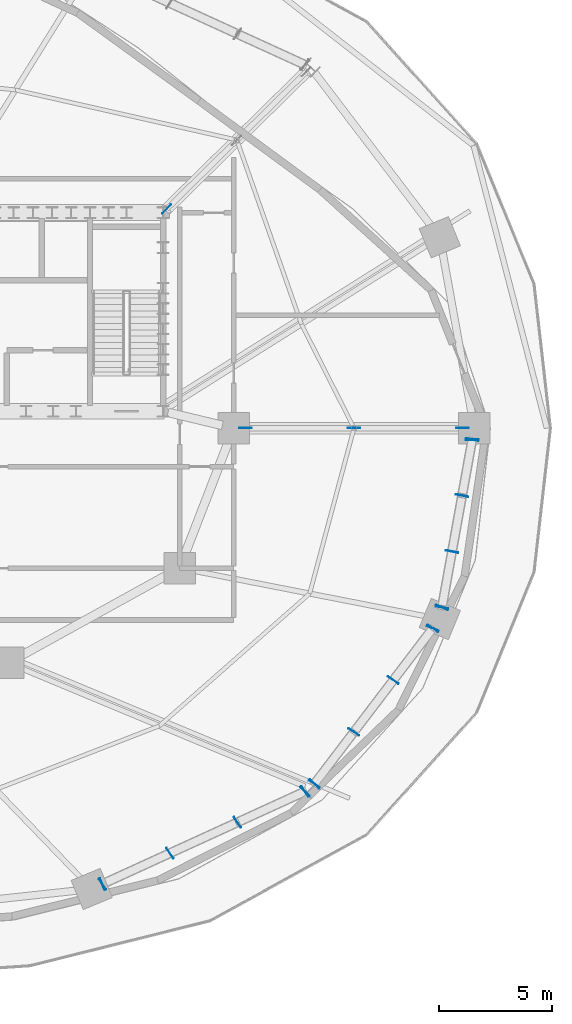
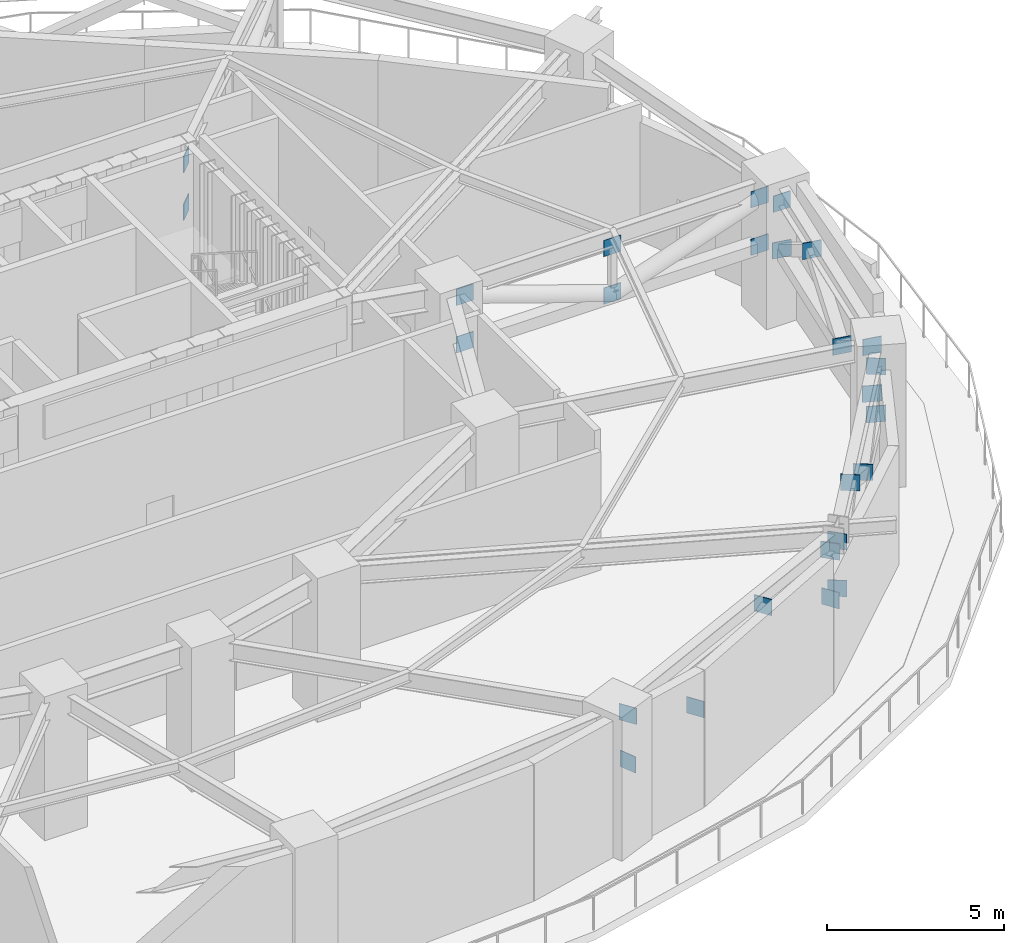
# One storey, part 11 of 18: 26 plates.
"""IFC4 building model written with IfcOpenShell, lengths in metres."""

from ifc_helpers import new_model, si_unit, direction, frame, origin, origin_2d, place, context, subcontext, project, spatial, rectangle, extrude, material, layer, layer_set, type_object, element, save


model = new_model("IFC4")

# Units and contexts
model_context = context("Model", 3, precision=1e-05, world=origin(), true_north=direction((0.0, 1.0)))
body_context = subcontext(model_context, "Body", "Model", "MODEL_VIEW")
ifc_project = project(units=[si_unit("LENGTHUNIT", "METRE"), si_unit("AREAUNIT", "SQUARE_METRE"), si_unit("VOLUMEUNIT", "CUBIC_METRE"), si_unit("PLANEANGLEUNIT", "RADIAN"), si_unit("MASSUNIT", "GRAM", prefix="KILO")], contexts=[model_context])

# Site, building, storey
site_placement = place(None, origin())
site = spatial("IfcSite", under=ifc_project, at=site_placement, CompositionType="ELEMENT")
building_placement = place(site_placement, origin())
building = spatial("IfcBuilding", under=site, at=building_placement, Name="Haldorwick Loom Tower", CompositionType="ELEMENT")
storey_placement = place(building_placement, frame((0.0, 0.0, 76.800048828125)))
storey = spatial("IfcBuildingStorey", under=building, at=storey_placement, Name="L20", CompositionType="ELEMENT", Elevation=76.800048828125)

# Plates
ifc_material = material(Name="Steel CSA G40.21 350W", Category="steel")
ifc_layer = layer(ifc_material, 0.028076171875, Name="Steel CSA G40.21 350W", Category="steel")
ifc_layer_set = layer_set([ifc_layer], Name="Steel CSA G40.21 350W")
plate_type = type_object("IfcPlateType", Name="STR-PLT-GUS28", PredefinedType="SHEET", material=ifc_layer_set)
for number, where, z_axis, x_axis, name in (
    (1, (47.37939453125, 5.798583984375, 3.864013671875), (0.0, 0.0, 1.0), (0.55557023302, -0.831469612303, 0.0), "L20 Truss Node Gusset Plate PLT-L20-BGUS-13-0A"),
    (2, (50.371826171875, 7.1669921875, 2.219970703125), (0.0, 0.0, 1.0), (0.55557023302, -0.831469612303, 0.0), "L20 Truss Node Gusset Plate PLT-L20-BGUS-13-0B"),
    (3, (53.3642578125, 8.535400390625, 3.864013671875), (0.0, 0.0, 1.0), (0.55557023302, -0.831469612303, 0.0), "L20 Truss Node Gusset Plate PLT-L20-BGUS-13-1B"),
    (4, (56.356689453125, 9.90380859375, 2.219970703125), (0.0, 0.0, 1.0), (0.55557023302, -0.831469612303, 0.0), "L20 Truss Node Gusset Plate PLT-L20-BGUS-13-2B"),
    (5, (47.37939453125, 5.798583984375, 2.219970703125), (0.0, 0.0, 1.0), (0.382683432365, -0.923879532511, 0.0), "L20 Truss Node Gusset Plate PLT-L20-BGUS-13A"),
    (6, (56.356689453125, 9.90380859375, 3.864013671875), (0.0, 0.0, 1.0), (0.707106781187, -0.707106781187, 0.0), "L20 Truss Node Gusset Plate PLT-L20-BGUS-13D"),
    (7, (56.773193359375, 10.2373046875, 2.219970703125), (0.0, 0.0, 1.0), (0.831469612303, -0.55557023302, 0.0), "L20 Truss Node Gusset Plate PLT-L20-BGUS-14-0A"),
    (8, (58.520751953125, 12.534423828125, 3.864013671875), (0.0, 0.0, 1.0), (0.831469612303, -0.55557023302, 0.0), "L20 Truss Node Gusset Plate PLT-L20-BGUS-14-0B"),
    (9, (60.268310546875, 14.83154296875, 2.219970703125), (0.0, 0.0, 1.0), (0.831469612303, -0.55557023302, 0.0), "L20 Truss Node Gusset Plate PLT-L20-BGUS-14-1B"),
    (10, (62.015869140625, 17.12890625, 3.864013671875), (0.0, 0.0, 1.0), (0.831469612303, -0.55557023302, 0.0), "L20 Truss Node Gusset Plate PLT-L20-BGUS-14-2B"),
    (11, (56.773193359375, 10.2373046875, 3.864013671875), (0.0, 0.0, 1.0), (0.707106781187, -0.707106781187, 0.0), "L20 Truss Node Gusset Plate PLT-L20-BGUS-14B"),
    (12, (62.015869140625, 17.12890625, 2.219970703125), (0.0, 0.0, 1.0), (0.923879532511, -0.382683432365, 0.0), "L20 Truss Node Gusset Plate PLT-L20-BGUS-14C"),
    (13, (62.423095703125, 18.054443359375, 3.864013671875), (0.0, 0.0, 1.0), (-0.980785280403, 0.195090322016, 0.0), "L20 Truss Node Gusset Plate PLT-L20-BGUS-15-0A"),
    (14, (62.870361328125, 20.532470703125, 2.219970703125), (0.0, 0.0, 1.0), (-0.980785280403, 0.195090322016, 0.0), "L20 Truss Node Gusset Plate PLT-L20-BGUS-15-0B"),
    (15, (63.31787109375, 23.01025390625, 3.864013671875), (0.0, 0.0, 1.0), (-0.980785280403, 0.195090322016, 0.0), "L20 Truss Node Gusset Plate PLT-L20-BGUS-15-1B"),
    (16, (63.76513671875, 25.48828125, 2.219970703125), (0.0, 0.0, 1.0), (-0.980785280403, 0.195090322016, 0.0), "L20 Truss Node Gusset Plate PLT-L20-BGUS-15-2B"),
    (17, (62.423095703125, 18.054443359375, 2.219970703125), (0.0, 0.0, 1.0), (0.923879532511, -0.382683432365, 0.0), "L20 Truss Node Gusset Plate PLT-L20-BGUS-15A"),
    (18, (63.76513671875, 25.48828125, 3.864013671875), (0.0, 0.0, 1.0), (1.0, 0.0, 0.0), "L20 Truss Node Gusset Plate PLT-L20-BGUS-15D"),
    (19, (53.719970703125, 26.0, 2.219970703125), (0.0, 0.0, 1.0), (1.0, 0.0, 0.0), "L20 Truss Node Gusset Plate PLT-L20-OT-E-CB0"),
    (20, (53.719970703125, 26.0, 3.863037109375), (0.0, 0.0, 1.0), (1.0, 0.0, 0.0), "L20 Truss Node Gusset Plate PLT-L20-OT-E-CT0"),
    (21, (58.52880859375, 26.0, 2.219970703125), (0.0, 0.0, 1.0), (1.0, 0.0, 0.0), "L20 Truss Node Gusset Plate PLT-L20-OT-E-MB0"),
    (22, (58.52880859375, 26.0, 3.863037109375), (0.0, 0.0, 1.0), (1.0, 0.0, 0.0), "L20 Truss Node Gusset Plate PLT-L20-OT-E-MT0"),
    (23, (63.337646484375, 26.0, 2.219970703125), (0.0, 0.0, 1.0), (1.0, 0.0, 0.0), "L20 Truss Node Gusset Plate PLT-L20-OT-E-PB0"),
    (24, (63.337646484375, 26.0, 3.863037109375), (0.0, 0.0, 1.0), (1.0, 0.0, 0.0), "L20 Truss Node Gusset Plate PLT-L20-OT-E-PT0"),
    (25, (50.23046875, 35.707763671875, 2.219970703125), (0.0, 0.0, 1.0), (0.707106781187, 0.707106781187, 0.0), "L20 Truss Node Gusset Plate PLT-L20-OT-NE-CB0"),
    (26, (50.23046875, 35.707763671875, 3.863037109375), (0.0, 0.0, 1.0), (0.707106781187, 0.707106781187, 0.0), "L20 Truss Node Gusset Plate PLT-L20-OT-NE-CT0"),
):
    element("IfcPlate", number, at=place(storey_placement, frame(where, z_axis=z_axis, x_axis=x_axis)), inside=storey, type_object=plate_type, Name=name, PredefinedType="SHEET", context=body_context, shape_type="SweptSolid", body=[
        extrude(rectangle(XDim=0.56005859375, YDim=0.028076171875, at=origin_2d()), origin(), (0.0, 0.0, 1.0), 0.56005859375),
    ])

save(model, "model.ifc")
